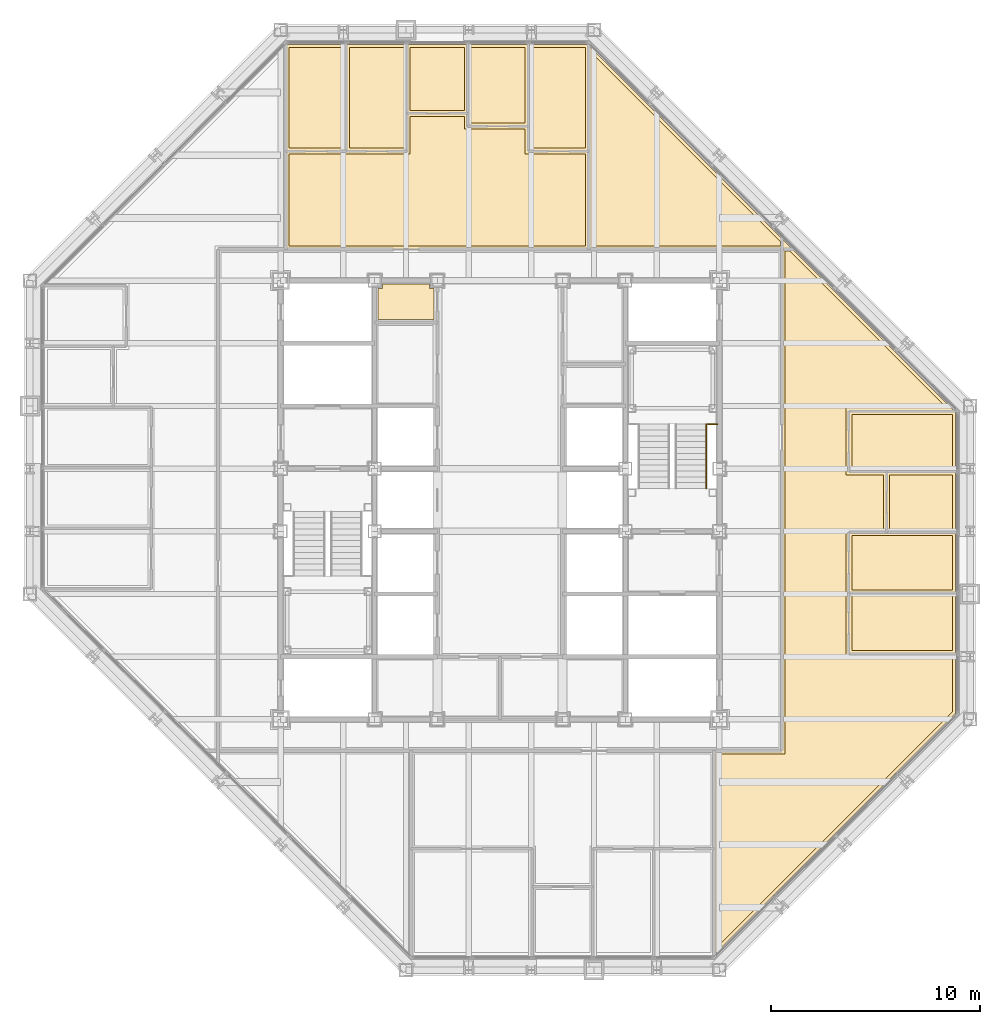
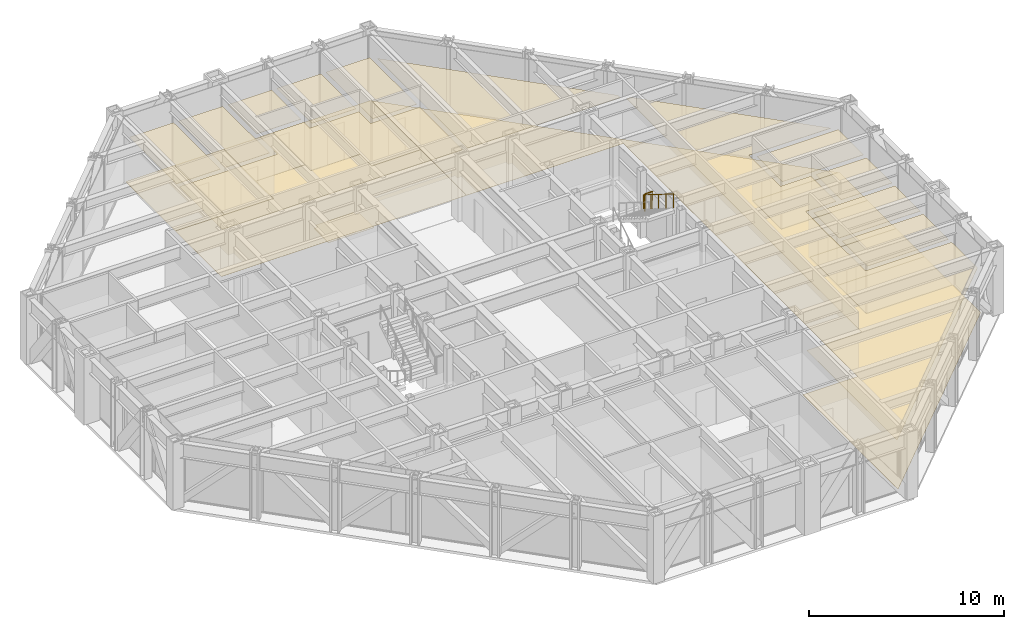
# One storey, part 16 of 16: 24 coverings, 2 railings.
"""IFC4 building model written with IfcOpenShell, lengths in metres."""

from ifc_helpers import new_model, si_unit, direction, frame, origin, origin_2d, place, context, subcontext, project, spatial, polyline, circle, outline, extrude, material, layer, layer_set, type_object, element, save


model = new_model("IFC4")

# Units and contexts
model_context = context("Model", 3, precision=1e-05, world=origin(), true_north=direction((0.0, 1.0)))
body_context = subcontext(model_context, "Body", "Model", "MODEL_VIEW")
ifc_project = project(units=[si_unit("LENGTHUNIT", "METRE"), si_unit("AREAUNIT", "SQUARE_METRE"), si_unit("VOLUMEUNIT", "CUBIC_METRE"), si_unit("PLANEANGLEUNIT", "RADIAN"), si_unit("MASSUNIT", "GRAM", prefix="KILO")], contexts=[model_context])

# Site, building, storey
site_placement = place(None, origin())
site = spatial("IfcSite", under=ifc_project, at=site_placement, CompositionType="ELEMENT")
building_placement = place(site_placement, origin())
building = spatial("IfcBuilding", under=site, at=building_placement, Name="Chuquiago Exchange Tower", CompositionType="ELEMENT")
storey_placement = place(building_placement, frame((0.0, 0.0, 201.300048828125)))
storey = spatial("IfcBuildingStorey", under=building, at=storey_placement, Name="L44", CompositionType="ELEMENT", Elevation=201.300048828125)

# Coverings
ifc_material_1 = material(Name="Mineral fibre tile, 600 x 600, on pale metal grid", Category="mineral fibre")
ifc_layer_1 = layer(ifc_material_1, 0.02001953125)
ifc_layer_set_1 = layer_set([ifc_layer_1], Name="CL1 suspended tile ceiling 20")
covering_type_1 = type_object("IfcCoveringType", Name="CL1 suspended tile ceiling 20", PredefinedType="CEILING", material=ifc_layer_set_1)
covering_1_placement = place(storey_placement, frame((0.0, 0.0, 2.800048828125)))
element("IfcCovering", 1, at=covering_1_placement, inside=storey, type_object=covering_type_1, Name="Ceiling Office", PredefinedType="CEILING", context=body_context, shape_type="SweptSolid", body=[
    extrude(outline(polyline([(39.35009765625, 15.299072265625), (39.35009765625, 17.899658203125), (44.14990234375, 17.899658203125), (44.14990234375, 15.299072265625), (39.35009765625, 15.299072265625)])), origin(), (0.0, 0.0, 1.0), 0.02001953125),
])
covering_2_placement = place(storey_placement, frame((0.0, 0.0, 2.800048828125)))
element("IfcCovering", 2, at=covering_2_placement, inside=storey, type_object=covering_type_1, Name="Ceiling Office", PredefinedType="CEILING", context=body_context, shape_type="SweptSolid", body=[
    extrude(outline(polyline([(39.35009765625, 18.19970703125), (39.35009765625, 20.80029296875), (44.14990234375, 20.80029296875), (44.14990234375, 18.19970703125), (39.35009765625, 18.19970703125)])), origin(), (0.0, 0.0, 1.0), 0.02001953125),
])
covering_3_placement = place(storey_placement, frame((0.0, 0.0, 2.800048828125)))
element("IfcCovering", 3, at=covering_3_placement, inside=storey, type_object=covering_type_1, Name="Ceiling Focus room", PredefinedType="CEILING", context=body_context, shape_type="SweptSolid", body=[
    extrude(outline(polyline([(41.14990234375, 21.100341796875), (41.14990234375, 23.700927734375), (44.14990234375, 23.700927734375), (44.14990234375, 21.100341796875), (41.14990234375, 21.100341796875)])), origin(), (0.0, 0.0, 1.0), 0.02001953125),
])
covering_4_placement = place(storey_placement, frame((0.0, 0.0, 2.800048828125)))
element("IfcCovering", 4, at=covering_4_placement, inside=storey, type_object=covering_type_1, Name="Ceiling Meeting room", PredefinedType="CEILING", context=body_context, shape_type="SweptSolid", body=[
    extrude(outline(polyline([(44.14990234375, 24.0009765625), (39.35009765625, 24.0009765625), (39.35009765625, 26.6015625), (44.14990234375, 26.6015625), (44.14990234375, 24.0009765625)])), origin(), (0.0, 0.0, 1.0), 0.02001953125),
])
covering_5_placement = place(storey_placement, frame((0.0, 0.0, 2.800048828125)))
element("IfcCovering", 5, at=covering_5_placement, inside=storey, type_object=covering_type_1, Name="Ceiling Office", PredefinedType="CEILING", context=body_context, shape_type="SweptSolid", body=[
    extrude(outline(polyline([(14.9990234375, 44.14990234375), (14.9990234375, 39.35009765625), (12.3984375, 39.35009765625), (12.3984375, 44.14990234375), (14.9990234375, 44.14990234375)])), origin(), (0.0, 0.0, 1.0), 0.02001953125),
])
covering_6_placement = place(storey_placement, frame((0.0, 0.0, 2.800048828125)))
element("IfcCovering", 6, at=covering_6_placement, inside=storey, type_object=covering_type_1, Name="Ceiling Office", PredefinedType="CEILING", context=body_context, shape_type="SweptSolid", body=[
    extrude(outline(polyline([(17.899658203125, 39.35009765625), (15.299072265625, 39.35009765625), (15.299072265625, 44.14990234375), (17.899658203125, 44.14990234375), (17.899658203125, 39.35009765625)])), origin(), (0.0, 0.0, 1.0), 0.02001953125),
])
covering_7_placement = place(storey_placement, frame((0.0, 0.0, 2.800048828125)))
element("IfcCovering", 7, at=covering_7_placement, inside=storey, type_object=covering_type_1, Name="Ceiling Focus room", PredefinedType="CEILING", context=body_context, shape_type="SweptSolid", body=[
    extrude(outline(polyline([(20.80029296875, 41.14990234375), (18.19970703125, 41.14990234375), (18.19970703125, 44.14990234375), (20.80029296875, 44.14990234375), (20.80029296875, 41.14990234375)])), origin(), (0.0, 0.0, 1.0), 0.02001953125),
])
covering_8_placement = place(storey_placement, frame((0.0, 0.0, 2.800048828125)))
element("IfcCovering", 8, at=covering_8_placement, inside=storey, type_object=covering_type_1, Name="Ceiling Pantry", PredefinedType="CEILING", context=body_context, shape_type="SweptSolid", body=[
    extrude(outline(polyline([(23.700927734375, 40.550048828125), (21.100341796875, 40.550048828125), (21.100341796875, 44.14990234375), (23.700927734375, 44.14990234375), (23.700927734375, 40.550048828125)])), origin(), (0.0, 0.0, 1.0), 0.02001953125),
])
covering_9_placement = place(storey_placement, frame((0.0, 0.0, 2.800048828125)))
element("IfcCovering", 9, at=covering_9_placement, inside=storey, type_object=covering_type_1, Name="Ceiling Meeting room", PredefinedType="CEILING", context=body_context, shape_type="SweptSolid", body=[
    extrude(outline(polyline([(26.6015625, 39.35009765625), (24.0009765625, 39.35009765625), (24.0009765625, 44.14990234375), (26.6015625, 44.14990234375), (26.6015625, 39.35009765625)])), origin(), (0.0, 0.0, 1.0), 0.02001953125),
])
covering_10_placement = place(storey_placement, frame((0.0, 0.0, 2.800048828125)))
element("IfcCovering", 10, at=covering_10_placement, inside=storey, type_object=covering_type_1, Name="Ceiling Open office north suite", PredefinedType="CEILING", context=body_context, shape_type="SweptSolid", body=[
    extrude(outline(polyline([(18.19970703125, 39.050048828125), (18.19970703125, 40.85009765625), (20.80029296875, 40.85009765625), (20.80029296875, 40.25), (23.700927734375, 40.25), (23.700927734375, 39.050048828125), (26.60107421875, 39.050048828125), (26.60107421875, 34.650390625), (12.39892578125, 34.650390625), (12.39892578125, 39.050048828125), (18.19970703125, 39.050048828125)])), origin(), (0.0, 0.0, 1.0), 0.02001953125),
])
covering_11_placement = place(storey_placement, frame((0.0, 0.0, 2.800048828125)))
element("IfcCovering", 11, at=covering_11_placement, inside=storey, type_object=covering_type_1, Name="Ceiling Open office east suite", PredefinedType="CEILING", context=body_context, shape_type="SweptSolid", body=[
    extrude(outline(polyline([(43.896484375, 26.901611328125), (39.050048828125, 26.901611328125), (39.050048828125, 23.700927734375), (40.85009765625, 23.700927734375), (40.85009765625, 21.100341796875), (39.050048828125, 21.100341796875), (39.050048828125, 14.9990234375), (44.14990234375, 14.9990234375), (44.14990234375, 12.35205078125), (32.902099609375, 1.10400390625), (32.902099609375, 10.349609375), (36.150390625, 10.35009765625), (36.150390625, 34.4150390625), (36.383056640625, 34.4150390625), (43.896484375, 26.901611328125)])), origin(), (0.0, 0.0, 1.0), 0.02001953125),
])
covering_12_placement = place(storey_placement, frame((0.0, 0.0, 2.800048828125)))
element("IfcCovering", 12, at=covering_12_placement, inside=storey, type_object=covering_type_1, Name="Ceiling Open office east suite", PredefinedType="CEILING", context=body_context, shape_type="SweptSolid", body=[
    extrude(outline(polyline([(26.902099609375, 34.650390625), (26.902099609375, 43.89599609375), (35.9150390625, 34.883056640625), (35.9150390625, 34.64990234375), (26.902099609375, 34.650390625)])), origin(), (0.0, 0.0, 1.0), 0.02001953125),
])
ifc_material_2 = material(Name="Moisture resistant plasterboard on metal frame", Category="gypsum")
ifc_layer_2 = layer(ifc_material_2, 0.014892578125)
ifc_layer_set_2 = layer_set([ifc_layer_2], Name="CL2 moisture resistant ceiling 15")
covering_type_2 = type_object("IfcCoveringType", Name="CL2 moisture resistant ceiling 15", PredefinedType="CEILING", material=ifc_layer_set_2)
covering_13_placement = place(storey_placement, frame((0.0, 0.0, 2.599853515625)))
element("IfcCovering", 13, at=covering_13_placement, inside=storey, type_object=covering_type_2, Name="Ceiling Staff shower room", PredefinedType="CEILING", context=body_context, shape_type="SweptSolid", body=[
    extrude(outline(polyline([(16.64990234375, 31.14990234375), (16.64990234375, 32.625), (16.875, 32.625), (16.875, 32.85009765625), (19.125, 32.85009765625), (19.125, 32.625), (19.35009765625, 32.625), (19.35009765625, 31.14990234375), (16.64990234375, 31.14990234375)])), origin(), (0.0, 0.0, 1.0), 0.01513671875),
])
ifc_material_3 = material(Name="Carpet tile, 500 x 500, on the floor slab", Category="textile")
ifc_layer_3 = layer(ifc_material_3, 0.010009765625)
ifc_layer_set_3 = layer_set([ifc_layer_3], Name="FL1 carpet tile 10")
covering_type_3 = type_object("IfcCoveringType", Name="FL1 carpet tile 10", PredefinedType="FLOORING", material=ifc_layer_set_3)
covering_14_placement = place(storey_placement, origin())
element("IfcCovering", 14, at=covering_14_placement, inside=storey, type_object=covering_type_3, Name="Floor finish Office", PredefinedType="FLOORING", context=body_context, shape_type="SweptSolid", body=[
    extrude(outline(polyline([(44.300048828125, 15.149169921875), (39.199951171875, 15.149169921875), (39.199951171875, 18.0498046875), (44.300048828125, 18.0498046875), (44.300048828125, 15.149169921875)])), origin(), (0.0, 0.0, 1.0), 0.010009765625),
])
covering_15_placement = place(storey_placement, origin())
element("IfcCovering", 15, at=covering_15_placement, inside=storey, type_object=covering_type_3, Name="Floor finish Office", PredefinedType="FLOORING", context=body_context, shape_type="SweptSolid", body=[
    extrude(outline(polyline([(44.300048828125, 18.0498046875), (39.199951171875, 18.0498046875), (39.199951171875, 20.9501953125), (44.300048828125, 20.9501953125), (44.300048828125, 18.0498046875)])), origin(), (0.0, 0.0, 1.0), 0.010009765625),
])
covering_16_placement = place(storey_placement, origin())
element("IfcCovering", 16, at=covering_16_placement, inside=storey, type_object=covering_type_3, Name="Floor finish Focus room", PredefinedType="FLOORING", context=body_context, shape_type="SweptSolid", body=[
    extrude(outline(polyline([(44.300048828125, 20.9501953125), (41.0, 20.9501953125), (41.0, 23.850830078125), (44.300048828125, 23.850830078125), (44.300048828125, 20.9501953125)])), origin(), (0.0, 0.0, 1.0), 0.010009765625),
])
covering_17_placement = place(storey_placement, origin())
element("IfcCovering", 17, at=covering_17_placement, inside=storey, type_object=covering_type_3, Name="Floor finish Meeting room", PredefinedType="FLOORING", context=body_context, shape_type="SweptSolid", body=[
    extrude(outline(polyline([(44.300048828125, 26.710205078125), (44.300048828125, 23.850830078125), (39.199951171875, 23.850830078125), (39.199951171875, 26.75146484375), (44.258544921875, 26.75146484375), (44.300048828125, 26.710205078125)])), origin(), (0.0, 0.0, 1.0), 0.010009765625),
])
covering_18_placement = place(storey_placement, origin())
element("IfcCovering", 18, at=covering_18_placement, inside=storey, type_object=covering_type_3, Name="Floor finish Office", PredefinedType="FLOORING", context=body_context, shape_type="SweptSolid", body=[
    extrude(outline(polyline([(12.289794921875, 44.300048828125), (15.149169921875, 44.300048828125), (15.149169921875, 39.199951171875), (12.24853515625, 39.199951171875), (12.24853515625, 44.258544921875), (12.289794921875, 44.300048828125)])), origin(), (0.0, 0.0, 1.0), 0.010009765625),
])
covering_19_placement = place(storey_placement, origin())
element("IfcCovering", 19, at=covering_19_placement, inside=storey, type_object=covering_type_3, Name="Floor finish Office", PredefinedType="FLOORING", context=body_context, shape_type="SweptSolid", body=[
    extrude(outline(polyline([(18.0498046875, 44.300048828125), (18.0498046875, 39.199951171875), (15.149169921875, 39.199951171875), (15.149169921875, 44.300048828125), (18.0498046875, 44.300048828125)])), origin(), (0.0, 0.0, 1.0), 0.010009765625),
])
covering_20_placement = place(storey_placement, origin())
element("IfcCovering", 20, at=covering_20_placement, inside=storey, type_object=covering_type_3, Name="Floor finish Focus room", PredefinedType="FLOORING", context=body_context, shape_type="SweptSolid", body=[
    extrude(outline(polyline([(20.9501953125, 44.300048828125), (20.9501953125, 41.0), (18.0498046875, 41.0), (18.0498046875, 44.300048828125), (20.9501953125, 44.300048828125)])), origin(), (0.0, 0.0, 1.0), 0.010009765625),
])
covering_21_placement = place(storey_placement, origin())
element("IfcCovering", 21, at=covering_21_placement, inside=storey, type_object=covering_type_3, Name="Floor finish Meeting room", PredefinedType="FLOORING", context=body_context, shape_type="SweptSolid", body=[
    extrude(outline(polyline([(26.710205078125, 44.300048828125), (26.75146484375, 44.258544921875), (26.75146484375, 39.199951171875), (23.850830078125, 39.199951171875), (23.850830078125, 44.300048828125), (26.710205078125, 44.300048828125)])), origin(), (0.0, 0.0, 1.0), 0.010009765625),
])
covering_22_placement = place(storey_placement, origin())
element("IfcCovering", 22, at=covering_22_placement, inside=storey, type_object=covering_type_3, Name="Floor finish Open office north suite", PredefinedType="FLOORING", context=body_context, shape_type="SweptSolid", body=[
    extrude(outline(polyline([(12.2490234375, 39.199951171875), (18.0498046875, 39.199951171875), (18.0498046875, 41.0), (20.9501953125, 41.0), (20.9501953125, 40.39990234375), (23.850830078125, 40.39990234375), (23.850830078125, 39.199951171875), (26.7509765625, 39.199951171875), (26.7509765625, 34.50048828125), (12.2490234375, 34.50048828125), (12.2490234375, 39.199951171875)])), origin(), (0.0, 0.0, 1.0), 0.010009765625),
])
covering_23_placement = place(storey_placement, origin())
element("IfcCovering", 23, at=covering_23_placement, inside=storey, type_object=covering_type_3, Name="Floor finish Open office east suite", PredefinedType="FLOORING", context=body_context, shape_type="SweptSolid", body=[
    extrude(outline(polyline([(44.258544921875, 26.75146484375), (39.199951171875, 26.75146484375), (39.199951171875, 23.850830078125), (41.0, 23.850830078125), (41.0, 20.9501953125), (39.199951171875, 20.9501953125), (39.199951171875, 15.149169921875), (44.300048828125, 15.149169921875), (44.300048828125, 12.289794921875), (32.751953125, 0.741943359375), (32.751953125, 10.49951171875), (36.00048828125, 10.5), (36.00048828125, 34.5), (26.751953125, 34.50048828125), (26.751953125, 44.258056640625), (44.258544921875, 26.75146484375)])), origin(), (0.0, 0.0, 1.0), 0.010009765625),
])
ifc_material_4 = material(Name="Porcelain floor tile, 600 x 600, on adhesive bed", Category="ceramic")
ifc_layer_4 = layer(ifc_material_4, 0.014892578125)
ifc_layer_set_4 = layer_set([ifc_layer_4], Name="FL2 porcelain tile 15")
covering_type_4 = type_object("IfcCoveringType", Name="FL2 porcelain tile 15", PredefinedType="FLOORING", material=ifc_layer_set_4)
covering_24_placement = place(storey_placement, origin())
element("IfcCovering", 24, at=covering_24_placement, inside=storey, type_object=covering_type_4, Name="Floor finish Pantry", PredefinedType="FLOORING", context=body_context, shape_type="SweptSolid", body=[
    extrude(outline(polyline([(23.850830078125, 44.300048828125), (23.850830078125, 40.39990234375), (20.9501953125, 40.39990234375), (20.9501953125, 44.300048828125), (23.850830078125, 44.300048828125)])), origin(), (0.0, 0.0, 1.0), 0.014892578125),
])

# Railings
ifc_material_5 = material(Name="Pale metal guard with safety glass infill", Category="glass")
railing_type_1 = type_object("IfcRailingType", Name="GR1 guard 1100", PredefinedType="GUARDRAIL", material=ifc_material_5)
railing_1_placement = place(storey_placement, frame((32.445068359375, 26.1298828125, 2.099853515625)))
element("IfcRailing", 25, at=railing_1_placement, inside=storey, type_object=railing_type_1, Name="Guard ST2 L44 landing 2", PredefinedType="GUARDRAIL", context=body_context, shape_type="SweptSolid", body=[
    extrude(circle(Radius=0.02392578125, at=origin_2d()), frame((0.0, 0.0, 1.076171875), z_axis=(1.0, 0.0, 0.0), x_axis=(0.0, 1.0, 0.0)), (0.0, 0.0, 1.0), 0.454833984375),
    extrude(circle(Radius=0.02099609375, at=origin_2d()), origin(), (0.0, 0.0, 1.0), 1.052001953125),
    extrude(circle(Radius=0.02099609375, at=origin_2d()), frame((0.454833984375, 0.0, 0.0)), (0.0, 0.0, 1.0), 1.052001953125),
])
ifc_material_6 = material(Name="Pale metal handrail", Category="steel")
railing_type_2 = type_object("IfcRailingType", Name="HR1 handrail 900", PredefinedType="HANDRAIL", material=ifc_material_6)
railing_2_placement = place(storey_placement, frame((32.364990234375, 26.1298828125, 2.27490234375)))
element("IfcRailing", 26, at=railing_2_placement, inside=storey, type_object=railing_type_2, Name="Handrail ST2 L44 flight 2", PredefinedType="HANDRAIL", context=body_context, shape_type="SweptSolid", body=[
    extrude(circle(Radius=0.02392578125, at=origin_2d()), frame((0.0, 0.0, 0.8759765625), z_axis=(0.0, -0.847979421464, 0.530029150871), x_axis=(1.0, 0.0, 0.0)), (0.0, 0.0, 1.0), 3.632080078125),
    extrude(circle(Radius=0.02099609375, at=origin_2d()), origin(), (0.0, 0.0, 1.0), 0.851806640625),
    extrude(circle(Radius=0.02099609375, at=origin_2d()), frame((0.0, -0.77001953125, 0.481201171875)), (0.0, 0.0, 1.0), 0.851806640625),
    extrude(circle(Radius=0.02099609375, at=origin_2d()), frame((0.0, -1.5400390625, 0.96240234375)), (0.0, 0.0, 1.0), 0.851806640625),
    extrude(circle(Radius=0.02099609375, at=origin_2d()), frame((0.0, -2.309814453125, 1.44384765625)), (0.0, 0.0, 1.0), 0.851806640625),
    extrude(circle(Radius=0.02099609375, at=origin_2d()), frame((0.0, -3.079833984375, 1.925048828125)), (0.0, 0.0, 1.0), 0.851806640625),
])

save(model, "model.ifc")
